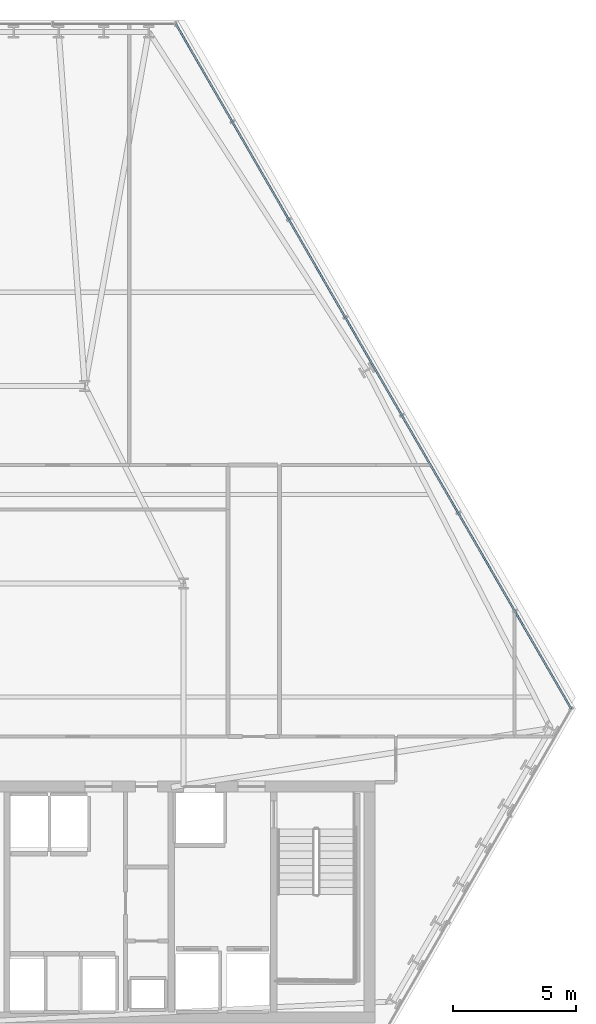
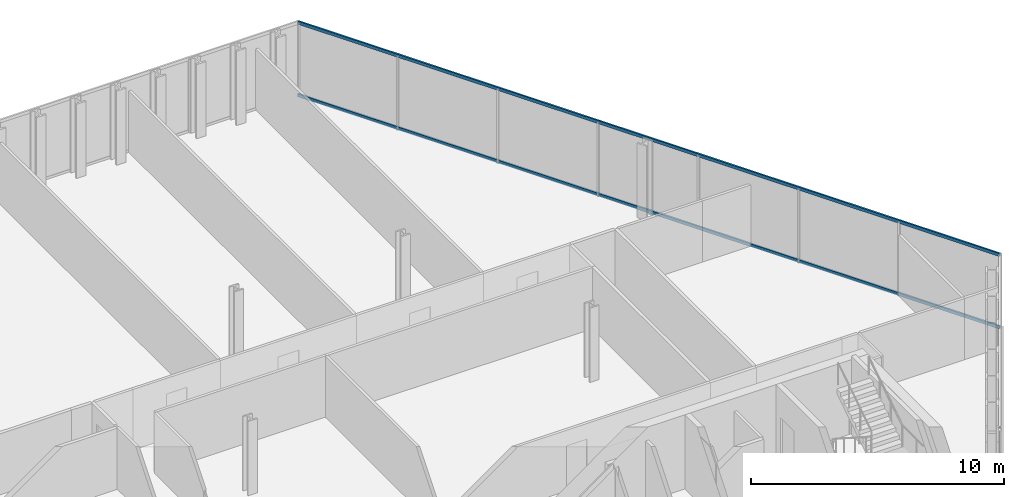
# One storey, part 20 of 32: 2 members, 1 element without a shape of its own.
"""IFC4 building model written with IfcOpenShell, lengths in metres."""

from ifc_helpers import new_model, si_unit, direction, frame, origin, origin_2d, place, context, subcontext, project, spatial, hollow_rectangle, extrude, material, layer, layer_set, material_profile, profile_set, type_object, element, aggregate, save


model = new_model("IFC4")

# Units and contexts
model_context = context("Model", 3, precision=1e-05, world=origin(), true_north=direction((0.0, 1.0)))
body_context = subcontext(model_context, "Body", "Model", "MODEL_VIEW")
ifc_project = project(units=[si_unit("LENGTHUNIT", "METRE"), si_unit("AREAUNIT", "SQUARE_METRE"), si_unit("VOLUMEUNIT", "CUBIC_METRE"), si_unit("PLANEANGLEUNIT", "RADIAN"), si_unit("MASSUNIT", "GRAM", prefix="KILO")], contexts=[model_context])

# Site, building, storey
site_placement = place(None, origin())
site = spatial("IfcSite", under=ifc_project, at=site_placement, CompositionType="ELEMENT")
building_placement = place(site_placement, origin())
building = spatial("IfcBuilding", under=site, at=building_placement, Name="Ndaravel Arena Tower", CompositionType="ELEMENT")
storey_placement = place(building_placement, frame((0.0, 0.0, 70.199951171875)))
storey = spatial("IfcBuildingStorey", under=building, at=storey_placement, Name="L15", CompositionType="ELEMENT", Elevation=70.199951171875)

# Curtain wall, members
ifc_material_1 = material(Name="Aluminium", Category="aluminium")
ifc_layer = layer(ifc_material_1, 0.179931640625)
ifc_layer_set = layer_set([ifc_layer], Name="Aluminium")
curtain_wall_type = type_object("IfcCurtainWallType", Name="CW-SYS-03", PredefinedType="NOTDEFINED", material=ifc_layer_set)
curtain_wall_placement = place(storey_placement, origin())
curtain_wall = element("IfcCurtainWall", 1, at=curtain_wall_placement, inside=storey, type_object=curtain_wall_type, Name="L15 Faceted Crystal Curtain Wall CW-L15-E03", PredefinedType="NOTDEFINED")
ifc_material_2 = material(Name="Aluminium", Category="aluminium")
ifc_material_profile = material_profile(ifc_material_2, hollow_rectangle(XDim=0.074951171875, YDim=0.14990234375, WallThickness=0.00390625, at=origin_2d()), Name="CW TRANSOM 75x150x4")
ifc_profile_set = profile_set([ifc_material_profile], Name="Aluminium")
member_type = type_object("IfcMemberType", Name="MEM-CW-TRN150", PredefinedType="USERDEFINED", material=ifc_profile_set)
member_1_placement = place(storey_placement, frame((65.50146484375, 18.127197265625, 0.0400390625), z_axis=(-0.500004412291, 0.866022856332, 0.0), x_axis=(-0.866022856332, -0.500004412291, 0.0)))
member_1 = element("IfcMember", 2, at=member_1_placement, type_object=member_type, Name="CW-L15-E03 Transom 01", ObjectType="TRANSOM", PredefinedType="USERDEFINED", context=body_context, shape_type="SweptSolid", body=[
    extrude(hollow_rectangle(XDim=0.074951171875, YDim=0.14990234375, WallThickness=0.00390625, at=origin_2d()), origin(), (0.0, 0.0, 1.0), 32.029541015625),
])
member_2_placement = place(storey_placement, frame((65.50146484375, 18.127197265625, 3.5400390625), z_axis=(-0.500004412291, 0.866022856332, 0.0), x_axis=(-0.866022856332, -0.500004412291, 0.0)))
member_2 = element("IfcMember", 3, at=member_2_placement, type_object=member_type, Name="CW-L15-E03 Transom 02", ObjectType="TRANSOM", PredefinedType="USERDEFINED", context=body_context, shape_type="SweptSolid", body=[
    extrude(hollow_rectangle(XDim=0.074951171875, YDim=0.14990234375, WallThickness=0.00390625, at=origin_2d()), origin(), (0.0, 0.0, 1.0), 32.029541015625),
])
aggregate(curtain_wall, [member_1, member_2])

save(model, "model.ifc")
